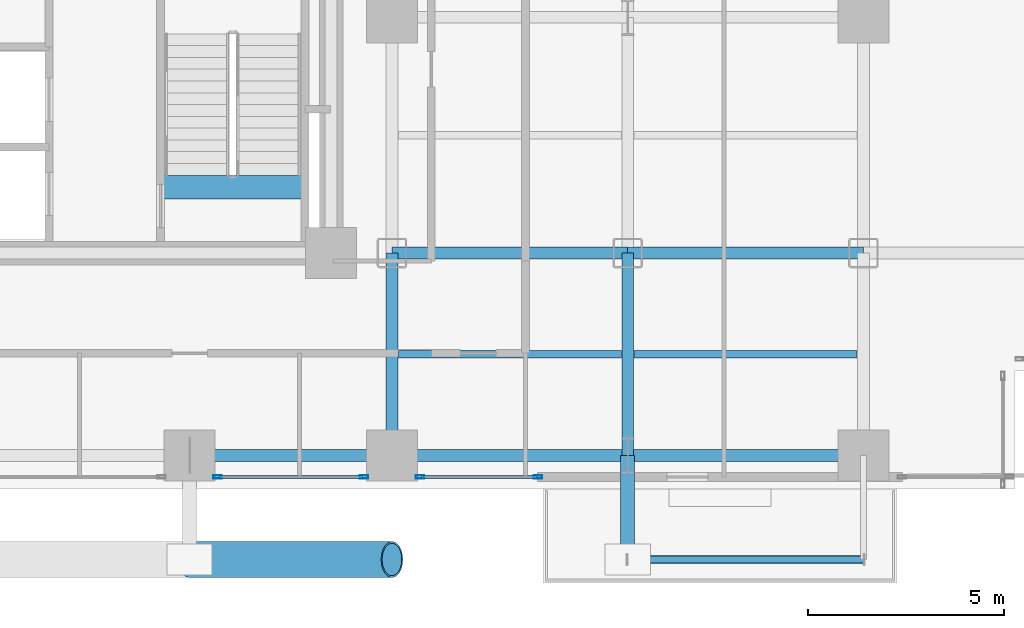
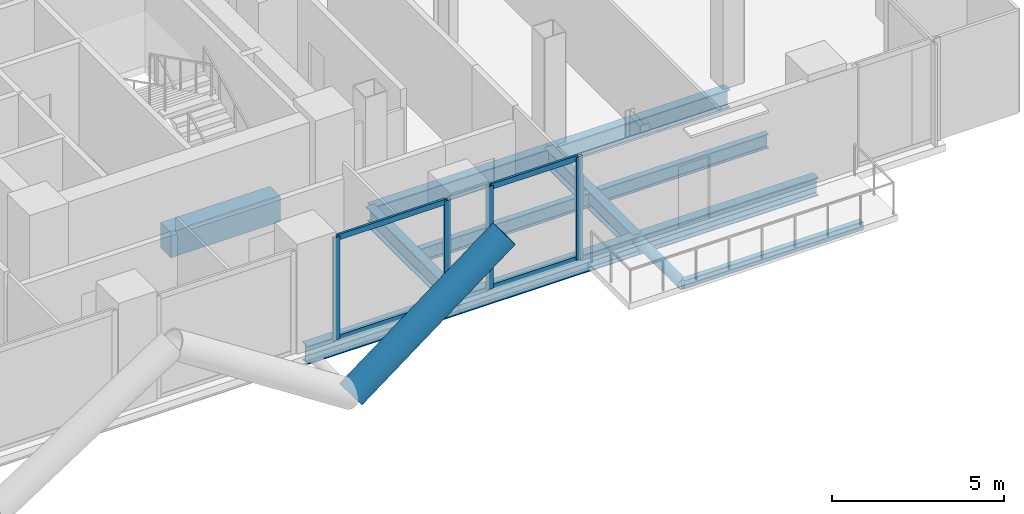
# One storey, part 8 of 27: 11 beams, 10 members, 2 elements without a shape of their own.
"""IFC4 building model written with IfcOpenShell, lengths in metres."""

from ifc_helpers import new_model, si_unit, direction, frame, origin, origin_2d, place, context, subcontext, project, spatial, rectangle, hollow_rectangle, hollow_circle, i_section, extrude, material, layer, layer_set, material_profile, profile_set, type_object, element, aggregate, save


model = new_model("IFC4")

# Units and contexts
model_context = context("Model", 3, precision=1e-05, world=origin(), true_north=direction((0.0, 1.0)))
body_context = subcontext(model_context, "Body", "Model", "MODEL_VIEW")
ifc_project = project(units=[si_unit("LENGTHUNIT", "METRE"), si_unit("AREAUNIT", "SQUARE_METRE"), si_unit("VOLUMEUNIT", "CUBIC_METRE"), si_unit("PLANEANGLEUNIT", "RADIAN"), si_unit("MASSUNIT", "GRAM", prefix="KILO"), si_unit("THERMODYNAMICTEMPERATUREUNIT", "KELVIN"), si_unit("POWERUNIT", "WATT")], contexts=[model_context])

# Site, building, storey
site_placement = place(None, origin())
site = spatial("IfcSite", under=ifc_project, at=site_placement, CompositionType="ELEMENT")
building_placement = place(site_placement, origin())
building = spatial("IfcBuilding", under=site, at=building_placement, Name="Svarakhadi Broadcast Tower", CompositionType="ELEMENT")
storey_placement = place(building_placement, frame((0.0, 0.0, 87.0)))
storey = spatial("IfcBuildingStorey", under=building, at=storey_placement, Name="L20", CompositionType="ELEMENT", Elevation=87.0)

# Beams
ifc_material_1 = material(Name="Steel S355J2 (IS 2062 E350C)", Category="steel")
ifc_material_profile_1 = material_profile(ifc_material_1, i_section(OverallWidth=0.199951171875, OverallDepth=0.5, WebThickness=0.01025390625, FlangeThickness=0.01611328125, FilletRadius=0.02099609375, at=origin_2d()), Name="NPB 500x200x91")
ifc_profile_set_1 = profile_set([ifc_material_profile_1], Name="Steel S355J2 (IS 2062 E350C)")
beam_type_1 = type_object("IfcBeamType", Name="Beam_NPB500", PredefinedType="BEAM", material=ifc_profile_set_1)
for number, where, z_axis, x_axis, name in (
    (1, (35.31005859375, 3.425048828125, -0.5), (1.0, 0.0, 0.0), (0.0, 1.0, 0.0), "L20 Secondary Composite Beam SB022"),
    (2, (41.31005859375, 3.425048828125, -0.5), (1.0, 0.0, 0.0), (0.0, 1.0, 0.0), "L20 Secondary Composite Beam SB025"),
):
    element("IfcBeam", number, at=place(storey_placement, frame(where, z_axis=z_axis, x_axis=x_axis)), inside=storey, type_object=beam_type_1, Name=name, PredefinedType="BEAM", context=body_context, shape_type="SweptSolid", body=[
        extrude(i_section(OverallWidth=0.199951171875, OverallDepth=0.5, WebThickness=0.01025390625, FlangeThickness=0.01611328125, FilletRadius=0.02099609375, at=origin_2d()), origin(), (0.0, 0.0, 1.0), 5.679931640625),
    ])

# Curtain wall, members
ifc_material_2 = material(Name="Anodised Bronze Aluminium AA 6063-T6", Category="aluminium")
ifc_layer = layer(ifc_material_2, 0.219970703125)
ifc_layer_set = layer_set([ifc_layer], Name="Anodised Bronze Aluminium AA 6063-T6")
curtain_wall_type = type_object("IfcCurtainWallType", Name="CW_Sys_02", PredefinedType="NOTDEFINED", material=ifc_layer_set)
curtain_wall_1_placement = place(storey_placement, origin())
curtain_wall_1 = element("IfcCurtainWall", 3, at=curtain_wall_1_placement, inside=storey, type_object=curtain_wall_type, Name="L20 South Curtain Wall 17 Bay 1", PredefinedType="NOTDEFINED")
ifc_material_profile_2 = material_profile(ifc_material_2, hollow_rectangle(XDim=0.0849609375, YDim=0.219970703125, WallThickness=0.006103515625, at=origin_2d()), Name="ALU MULLION 220x85x6")
ifc_profile_set_2 = profile_set([ifc_material_profile_2], Name="Anodised Bronze Aluminium AA 6063-T6")
member_type_1 = type_object("IfcMemberType", Name="CW_Sys_02_Mul", PredefinedType="MULLION", material=ifc_profile_set_2)
member_1_placement = place(storey_placement, frame((38.867431640625, 0.300048828125, 0.0), z_axis=(0.0, 0.0, 1.0), x_axis=(0.0, -1.0, 0.0)))
member_1 = element("IfcMember", 4, at=member_1_placement, type_object=member_type_1, Name="CW-02 mullion 1", PredefinedType="MULLION", context=body_context, shape_type="SweptSolid", body=[
    extrude(hollow_rectangle(XDim=0.0849609375, YDim=0.219970703125, WallThickness=0.006103515625, at=origin_2d()), origin(), (0.0, 0.0, 1.0), 3.64990234375),
])
member_2_placement = place(storey_placement, frame((35.862548828125, 0.300048828125, 0.0), z_axis=(0.0, 0.0, 1.0), x_axis=(0.0, -1.0, 0.0)))
member_2 = element("IfcMember", 5, at=member_2_placement, type_object=member_type_1, Name="CW-02 mullion 2", PredefinedType="MULLION", context=body_context, shape_type="SweptSolid", body=[
    extrude(hollow_rectangle(XDim=0.0849609375, YDim=0.219970703125, WallThickness=0.006103515625, at=origin_2d()), origin(), (0.0, 0.0, 1.0), 3.64990234375),
])

curtain_wall_2_placement = place(storey_placement, origin())
curtain_wall_2 = element("IfcCurtainWall", 6, at=curtain_wall_2_placement, inside=storey, type_object=curtain_wall_type, Name="L20 South Curtain Wall 17 Bay 2", PredefinedType="NOTDEFINED")
member_3_placement = place(storey_placement, frame((34.4375, 0.300048828125, 0.0), z_axis=(0.0, 0.0, 1.0), x_axis=(0.0, -1.0, 0.0)))
member_3 = element("IfcMember", 7, at=member_3_placement, type_object=member_type_1, Name="CW-02 mullion 1", PredefinedType="MULLION", context=body_context, shape_type="SweptSolid", body=[
    extrude(hollow_rectangle(XDim=0.0849609375, YDim=0.219970703125, WallThickness=0.006103515625, at=origin_2d()), origin(), (0.0, 0.0, 1.0), 3.64990234375),
])
member_4_placement = place(storey_placement, frame((30.71240234375, 0.300048828125, 0.0), z_axis=(0.0, 0.0, 1.0), x_axis=(0.0, -1.0, 0.0)))
member_4 = element("IfcMember", 8, at=member_4_placement, type_object=member_type_1, Name="CW-02 mullion 2", PredefinedType="MULLION", context=body_context, shape_type="SweptSolid", body=[
    extrude(hollow_rectangle(XDim=0.0849609375, YDim=0.219970703125, WallThickness=0.006103515625, at=origin_2d()), origin(), (0.0, 0.0, 1.0), 3.64990234375),
])

# Member
ifc_material_profile_3 = material_profile(ifc_material_2, hollow_rectangle(XDim=0.074951171875, YDim=0.199951171875, WallThickness=0.0048828125, at=origin_2d()), Name="ALU TRANSOM 200x75x5")
ifc_profile_set_3 = profile_set([ifc_material_profile_3], Name="Anodised Bronze Aluminium AA 6063-T6")
member_type_2 = type_object("IfcMemberType", Name="CW_Sys_02_Trn", PredefinedType="USERDEFINED", material=ifc_profile_set_3)
member_5_placement = place(storey_placement, frame((38.824951171875, 0.300048828125, 0.03759765625), z_axis=(-1.0, 0.0, 0.0), x_axis=(0.0, -1.0, 0.0)))
member_5 = element("IfcMember", 9, at=member_5_placement, type_object=member_type_2, Name="CW-02 transom 1.1", ObjectType="TRANSOM", PredefinedType="USERDEFINED", context=body_context, shape_type="SweptSolid", body=[
    extrude(hollow_rectangle(XDim=0.074951171875, YDim=0.199951171875, WallThickness=0.0048828125, at=origin_2d()), origin(), (0.0, 0.0, 1.0), 2.919921875),
])

member_6_placement = place(storey_placement, frame((38.824951171875, 0.300048828125, 3.612548828125), z_axis=(-1.0, 0.0, 0.0), x_axis=(0.0, -1.0, 0.0)))
member_6 = element("IfcMember", 10, at=member_6_placement, type_object=member_type_2, Name="CW-02 transom 1.2", ObjectType="TRANSOM", PredefinedType="USERDEFINED", context=body_context, shape_type="SweptSolid", body=[
    extrude(hollow_rectangle(XDim=0.074951171875, YDim=0.199951171875, WallThickness=0.0048828125, at=origin_2d()), origin(), (0.0, 0.0, 1.0), 2.919921875),
])

aggregate(curtain_wall_1, [member_1, member_2, member_5, member_6])

member_7_placement = place(storey_placement, frame((34.39501953125, 0.300048828125, 0.03759765625), z_axis=(-1.0, 0.0, 0.0), x_axis=(0.0, -1.0, 0.0)))
member_7 = element("IfcMember", 11, at=member_7_placement, type_object=member_type_2, Name="CW-02 transom 1.1", ObjectType="TRANSOM", PredefinedType="USERDEFINED", context=body_context, shape_type="SweptSolid", body=[
    extrude(hollow_rectangle(XDim=0.074951171875, YDim=0.199951171875, WallThickness=0.0048828125, at=origin_2d()), origin(), (0.0, 0.0, 1.0), 3.64013671875),
])

member_8_placement = place(storey_placement, frame((34.39501953125, 0.300048828125, 3.612548828125), z_axis=(-1.0, 0.0, 0.0), x_axis=(0.0, -1.0, 0.0)))
member_8 = element("IfcMember", 12, at=member_8_placement, type_object=member_type_2, Name="CW-02 transom 1.2", ObjectType="TRANSOM", PredefinedType="USERDEFINED", context=body_context, shape_type="SweptSolid", body=[
    extrude(hollow_rectangle(XDim=0.074951171875, YDim=0.199951171875, WallThickness=0.0048828125, at=origin_2d()), origin(), (0.0, 0.0, 1.0), 3.64013671875),
])

aggregate(curtain_wall_2, [member_3, member_4, member_7, member_8])

# Beam
ifc_material_3 = material(Name="Concrete C50/60 (IS 456 M60)", Category="concrete")
ifc_material_profile_4 = material_profile(ifc_material_3, rectangle(XDim=0.60009765625, YDim=0.89990234375, at=origin_2d()), Name="RC 600x900")
ifc_profile_set_4 = profile_set([ifc_material_profile_4], Name="Concrete C50/60 (IS 456 M60)")
beam_type_2 = type_object("IfcBeamType", Name="Coupling_RC600", PredefinedType="USERDEFINED", material=ifc_profile_set_4)
beam_1_placement = place(storey_placement, frame((29.260009765625, 7.679931640625, -0.449951171875), z_axis=(1.0, 0.0, 0.0), x_axis=(0.0, 1.0, 0.0)))
element("IfcBeam", 13, at=beam_1_placement, inside=storey, type_object=beam_type_2, Name="L20 Stair ST-02 Landing Throat Trimmer Beam CB-01", ObjectType="GIRDER", PredefinedType="USERDEFINED", context=body_context, shape_type="SweptSolid", body=[
    extrude(rectangle(XDim=0.60009765625, YDim=0.89990234375, at=origin_2d()), origin(), (0.0, 0.0, 1.0), 3.679931640625),
])

# Members
ifc_material_4 = material(Name="Steel S460ML (IS 2062 E450BR)", Category="steel")
ifc_material_profile_5 = material_profile(ifc_material_4, hollow_circle(Radius=0.45703125, WallThickness=0.044921875, at=origin_2d()), Name="CHS 914x45")
ifc_profile_set_5 = profile_set([ifc_material_profile_5], Name="Steel S460ML (IS 2062 E450BR)")
member_type_3 = type_object("IfcMemberType", Name="Exo_Brace_CHS914", PredefinedType="BRACE", material=ifc_profile_set_5)
member_9_placement = place(storey_placement, frame((30.0, -1.800048828125, -0.427734375), z_axis=(0.797206791841, 0.0, 0.603706328476), x_axis=(0.0, 1.0, 0.0)))
element("IfcMember", 14, at=member_9_placement, inside=storey, type_object=member_type_3, Name="L20 Exposed Bronze Exoskeleton Diagonal S05", PredefinedType="BRACE", context=body_context, shape_type="SweptSolid", body=[
    extrude(hollow_circle(Radius=0.45703125, WallThickness=0.044921875, at=origin_2d()), origin(), (0.0, 0.0, 1.0), 6.4599609375),
])
ifc_material_profile_6 = material_profile(ifc_material_4, hollow_circle(Radius=0.177734375, WallThickness=0.02001953125, at=origin_2d()), Name="CHS 355.6x20")
ifc_profile_set_6 = profile_set([ifc_material_profile_6], Name="Steel S460ML (IS 2062 E450BR)")
member_type_4 = type_object("IfcMemberType", Name="Exo_Radial_Strut_Z1", PredefinedType="STRUT", material=ifc_profile_set_6)
member_10_placement = place(storey_placement, frame((41.14990234375, -1.800048828125, -0.427734375), z_axis=(0.0, 1.0, 0.0), x_axis=(-1.0, 0.0, 0.0)))
element("IfcMember", 15, at=member_10_placement, inside=storey, type_object=member_type_4, Name="L20 Exoskeleton Radial Tie Strut S04", PredefinedType="STRUT", context=body_context, shape_type="SweptSolid", body=[
    extrude(hollow_circle(Radius=0.177734375, WallThickness=0.02001953125, at=origin_2d()), origin(), (0.0, 0.0, 1.0), 2.650146484375),
])

# Beams
ifc_material_profile_7 = material_profile(ifc_material_1, i_section(OverallWidth=0.300048828125, OverallDepth=0.64990234375, WebThickness=0.01611328125, FlangeThickness=0.031005859375, FilletRadius=0.027099609375, at=origin_2d()), Name="WPB 650x300x225")
ifc_profile_set_7 = profile_set([ifc_material_profile_7], Name="Steel S355J2 (IS 2062 E350C)")
beam_type_3 = type_object("IfcBeamType", Name="Girder_WPB650", PredefinedType="USERDEFINED", material=ifc_profile_set_7)
beam_2_placement = place(storey_placement, frame((30.0, 0.85009765625, -0.574951171875), z_axis=(1.0, 0.0, 0.0), x_axis=(0.0, 1.0, 0.0)))
element("IfcBeam", 16, at=beam_2_placement, inside=storey, type_object=beam_type_3, Name="L20 Primary E-W Girder G008", ObjectType="GIRDER", PredefinedType="USERDEFINED", context=body_context, shape_type="SweptSolid", body=[
    extrude(i_section(OverallWidth=0.300048828125, OverallDepth=0.64990234375, WebThickness=0.01611328125, FlangeThickness=0.031005859375, FilletRadius=0.027099609375, at=origin_2d()), origin(), (0.0, 0.0, 1.0), 5.14990234375),
])
for number, where, z_axis, x_axis, name in (
    (17, (35.14990234375, 0.85009765625, -0.574951171875), (1.0, 0.0, 0.0), (0.0, 1.0, 0.0), "L20 Primary E-W Girder G009"),
    (18, (41.14990234375, 0.85009765625, -0.574951171875), (1.0, 0.0, 0.0), (0.0, 1.0, 0.0), "L20 Primary E-W Girder G010"),
    (19, (35.14990234375, 6.0, -0.574951171875), (1.0, 0.0, 0.0), (0.0, 1.0, 0.0), "L20 Primary E-W Girder G016"),
    (20, (41.14990234375, 6.0, -0.574951171875), (1.0, 0.0, 0.0), (0.0, 1.0, 0.0), "L20 Primary E-W Girder G017"),
):
    element("IfcBeam", number, at=place(storey_placement, frame(where, z_axis=z_axis, x_axis=x_axis)), inside=storey, type_object=beam_type_3, Name=name, ObjectType="GIRDER", PredefinedType="USERDEFINED", context=body_context, shape_type="SweptSolid", body=[
        extrude(i_section(OverallWidth=0.300048828125, OverallDepth=0.64990234375, WebThickness=0.01611328125, FlangeThickness=0.031005859375, FilletRadius=0.027099609375, at=origin_2d()), origin(), (0.0, 0.0, 1.0), 6.0),
    ])
for number, where, z_axis, x_axis, name in (
    (21, (35.14990234375, 0.85009765625, -0.574951171875), (0.0, 1.0, 0.0), (-1.0, 0.0, 0.0), "L20 Primary N-S Girder G076"),
    (22, (41.14990234375, 0.85009765625, -0.574951171875), (0.0, 1.0, 0.0), (-1.0, 0.0, 0.0), "L20 Primary N-S Girder G079"),
):
    element("IfcBeam", number, at=place(storey_placement, frame(where, z_axis=z_axis, x_axis=x_axis)), inside=storey, type_object=beam_type_3, Name=name, ObjectType="GIRDER", PredefinedType="USERDEFINED", context=body_context, shape_type="SweptSolid", body=[
        extrude(i_section(OverallWidth=0.300048828125, OverallDepth=0.64990234375, WebThickness=0.01611328125, FlangeThickness=0.031005859375, FilletRadius=0.027099609375, at=origin_2d()), origin(), (0.0, 0.0, 1.0), 5.14990234375),
    ])
ifc_material_profile_8 = material_profile(ifc_material_4, hollow_rectangle(XDim=0.199951171875, YDim=0.300048828125, WallThickness=0.012451171875, InnerFilletRadius=0.012451171875, OuterFilletRadius=0.02490234375, at=origin_2d()), Name="RHS 300x200x12.5")
ifc_profile_set_8 = profile_set([ifc_material_profile_8], Name="Steel S460ML (IS 2062 E450BR)")
beam_type_4 = type_object("IfcBeamType", Name="Spandrel_RHS300", PredefinedType="SPANDREL", material=ifc_profile_set_8)
beam_3_placement = place(storey_placement, frame((41.14990234375, -1.800048828125, -0.39990234375), z_axis=(1.0, 0.0, 0.0), x_axis=(0.0, 1.0, 0.0)))
element("IfcBeam", 23, at=beam_3_placement, inside=storey, type_object=beam_type_4, Name="L20 Balcony Outer Spandrel 1F", PredefinedType="SPANDREL", context=body_context, shape_type="SweptSolid", body=[
    extrude(hollow_rectangle(XDim=0.199951171875, YDim=0.300048828125, WallThickness=0.012451171875, InnerFilletRadius=0.012451171875, OuterFilletRadius=0.02490234375, at=origin_2d()), origin(), (0.0, 0.0, 1.0), 6.0),
])

save(model, "model.ifc")
